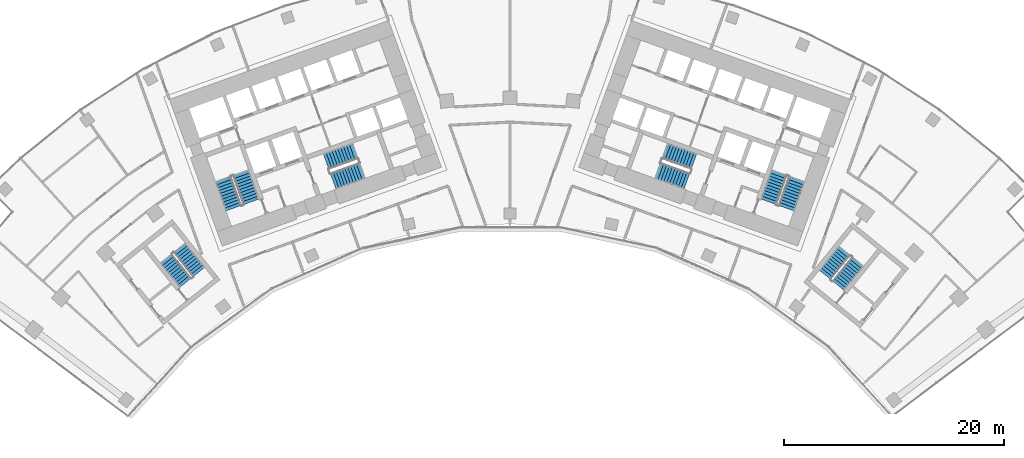
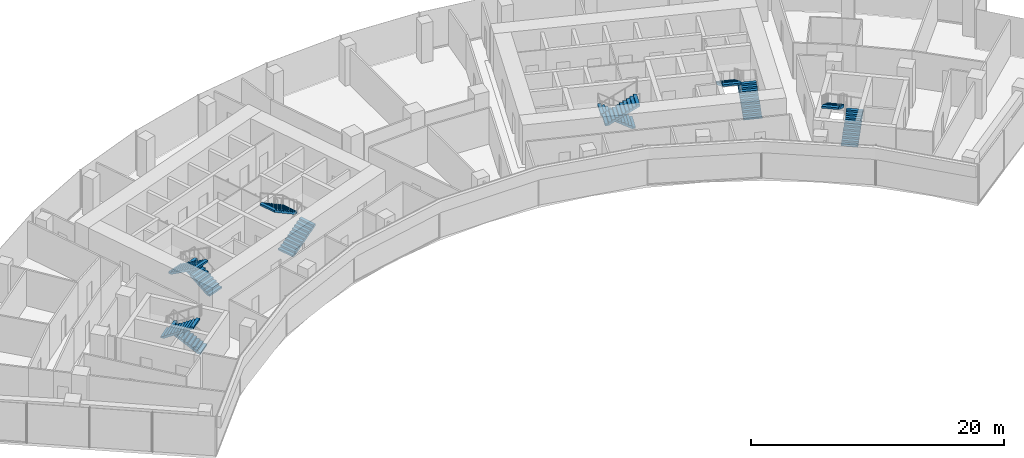
# One storey, part 19 of 21: 12 stair flights, 6 elements without a shape of their own.
"""IFC4 building model written with IfcOpenShell, lengths in metres."""

import ifcopenshell
import ifcopenshell.guid

model = None  # the IFC model being written
_history = None  # IfcOwnerHistory: only IFC2X3 demands one
_inside = {}  # id of a spatial element -> (the spatial element, [elements in it])
_under = {}  # id of a project, library or spatial element -> (it, [spatial elements below it])
_declared = {}  # id of a project -> (the project, [libraries it declares])
_typed = {}  # id of a type object -> (the type object, [elements of that type])
_made_of = {}  # id of a material, layer set ... -> (it, [elements and type objects made of it])


def new_model(schema):
    """Start an empty IFC model of exactly this schema.

    Asked for "IFC4X3", IfcOpenShell would pick the latest addendum, in which some entities
    have other attributes; the version numbers below select the first issue.
    IFC2X3 requires an IfcOwnerHistory on every rooted entity: one is made here for all.
    """
    global model, _history
    if schema == "IFC4X3":
        model = ifcopenshell.file(schema_version=(4, 3, 0, 0))
    else:
        model = ifcopenshell.file(schema=schema)
    _inside.clear()
    _under.clear()
    _declared.clear()
    _typed.clear()
    _made_of.clear()
    _history = None
    if model.schema == "IFC2X3":
        org = make("IfcOrganization", Name="unknown")
        user = make(
            "IfcPersonAndOrganization",
            ThePerson=make("IfcPerson", FamilyName="unknown"),
            TheOrganization=org,
        )
        app = make(
            "IfcApplication",
            ApplicationDeveloper=org,
            Version="unknown",
            ApplicationFullName="unknown",
            ApplicationIdentifier="unknown",
        )
        _history = make(
            "IfcOwnerHistory",
            OwningUser=user,
            OwningApplication=app,
            ChangeAction="ADDED",
            CreationDate=0,
        )
    return model


def make(cls, **values):
    """One entity of the class cls with the attributes given. An attribute that is None is left unset."""
    return model.create_entity(
        cls, **{name: value for name, value in values.items() if value is not None}
    )


def rooted(cls, **values):
    """An entity with a GlobalId (a new one), such as an element, a storey or a relation."""
    return make(cls, GlobalId=ifcopenshell.guid.new(), OwnerHistory=_history, **values)


def si_unit(unit_type, name, prefix=None):
    """IfcSIUnit, for example si_unit("LENGTHUNIT", "METRE", prefix="MILLI")."""
    return make("IfcSIUnit", UnitType=unit_type, Prefix=prefix, Name=name)


def assignment(units):
    """IfcUnitAssignment: the units of a project."""
    return None if units is None else make("IfcUnitAssignment", Units=units)


def point(xyz):
    """IfcCartesianPoint."""
    return None if xyz is None else make("IfcCartesianPoint", Coordinates=xyz)


def direction(xyz):
    """IfcDirection."""
    return None if xyz is None else make("IfcDirection", DirectionRatios=xyz)


def frame(location, z_axis=None, x_axis=None):
    """IfcAxis2Placement3D, a coordinate frame: its origin and axes. An axis left out is left unset."""
    return make(
        "IfcAxis2Placement3D",
        Location=point(location),
        Axis=direction(z_axis),
        RefDirection=direction(x_axis),
    )


def origin():
    """The frame at (0, 0, 0) with its axes left unset."""
    return frame((0.0, 0.0, 0.0))


def place(relative_to, where):
    """IfcLocalPlacement: puts the frame where relative to a parent placement (None: the world)."""
    return make(
        "IfcLocalPlacement", PlacementRelTo=relative_to, RelativePlacement=where
    )


def context(
    kind, dimensions, precision=None, world=None, true_north=None, identifier=None
):
    """IfcGeometricRepresentationContext, for example the 3D "Model" context."""
    return make(
        "IfcGeometricRepresentationContext",
        ContextIdentifier=identifier,
        ContextType=kind,
        CoordinateSpaceDimension=dimensions,
        Precision=precision,
        WorldCoordinateSystem=world,
        TrueNorth=true_north,
    )


def subcontext(parent, identifier, kind, view, scale=None):
    """IfcGeometricRepresentationSubContext, for example "Body" below "Model"."""
    return make(
        "IfcGeometricRepresentationSubContext",
        ContextIdentifier=identifier,
        ContextType=kind,
        ParentContext=parent,
        TargetScale=scale,
        TargetView=view,
    )


def project(units=None, contexts=None):
    """IfcProject with its units and contexts."""
    return rooted(
        "IfcProject",
        Name="project",
        RepresentationContexts=contexts,
        UnitsInContext=assignment(units),
    )


def spatial(cls, under=None, at=None, **own):
    """A site, building, storey or space (cls), placed at a placement, below another one or the project."""
    s = rooted(cls, ObjectPlacement=at, **own)
    if under is not None:
        _under.setdefault(under.id(), (under, []))[1].append(s)
    return s


def polyline(points):
    """IfcPolyline through the points."""
    return make("IfcPolyline", Points=[point(p) for p in points])


def outline(outer, holes=None, kind="AREA"):
    """IfcArbitraryClosedProfileDef: a profile drawn as a closed curve; with holes, ...WithVoids."""
    if holes is None:
        return make("IfcArbitraryClosedProfileDef", ProfileType=kind, OuterCurve=outer)
    return make(
        "IfcArbitraryProfileDefWithVoids",
        ProfileType=kind,
        OuterCurve=outer,
        InnerCurves=holes,
    )


def extrude(swept, where, along, depth):
    """IfcExtrudedAreaSolid: the profile swept, set in the frame where, extruded along a direction by depth."""
    return make(
        "IfcExtrudedAreaSolid",
        SweptArea=swept,
        Position=where,
        ExtrudedDirection=direction(along),
        Depth=depth,
    )


def shape(context_of_items, identifier, shape_type, items):
    """IfcShapeRepresentation: the items that make up one representation, for example the "Body"."""
    return make(
        "IfcShapeRepresentation",
        ContextOfItems=context_of_items,
        RepresentationIdentifier=identifier,
        RepresentationType=shape_type,
        Items=items,
    )


def material(Name=None, Category=None):
    """IfcMaterial."""
    return make("IfcMaterial", Name=Name, Category=Category)


def made_of(thing, what):
    """Note that an element or type object is made of a material, layer set ...; save() writes the relation."""
    if what is not None:
        _made_of.setdefault(what.id(), (what, []))[1].append(thing)
    return thing


def type_object(cls, material=None, **own):
    """A type object (cls), such as IfcWallType, which elements share."""
    return made_of(rooted(cls, **own), material)


def element(
    cls,
    number,
    at=None,
    inside=None,
    cuts=None,
    type_object=None,
    material=None,
    context=None,
    identifier="Body",
    shape_type=None,
    held_by="IfcProductDefinitionShape",
    body=None,
    shapes=None,
    **own,
):
    """One element of the class cls, such as IfcWall. Its Tag is "e" and its number.

    at: its placement. inside: the storey or other place that contains it. cuts: it is an
    opening in that element (IfcRelVoidsElement). A single representation is given by context,
    identifier, shape_type and body (its items); several are given by shapes. held_by: the class
    of the entity that holds the representations. save() writes the other relations.
    """
    e = rooted(cls, Tag="e%d" % number, ObjectPlacement=at, **own)
    if body is not None:
        shapes = [shape(context, identifier, shape_type, body)]
    if shapes is not None:
        e.Representation = make(held_by, Representations=shapes)
    if inside is not None:
        _inside.setdefault(inside.id(), (inside, []))[1].append(e)
    if cuts is not None:
        rooted(
            "IfcRelVoidsElement", RelatingBuildingElement=cuts, RelatedOpeningElement=e
        )
    if type_object is not None:
        _typed.setdefault(type_object.id(), (type_object, []))[1].append(e)
    return made_of(e, material)


def aggregate(whole, parts):
    """IfcRelAggregates: a whole, such as a stair, and the parts it consists of."""
    return rooted("IfcRelAggregates", RelatingObject=whole, RelatedObjects=parts)


def save(model, path):
    """Write the relations noted so far, then the file.

    IfcRelAggregates (storeys below a building ...), IfcRelContainedInSpatialStructure (elements
    in a storey), IfcRelDefinesByType, IfcRelAssociatesMaterial and IfcRelDeclares: one each for
    every whole, place, type object, material and project.
    """
    for whole, parts in _under.values():
        aggregate(whole, parts)
    for where, things in _inside.values():
        rooted(
            "IfcRelContainedInSpatialStructure",
            RelatedElements=things,
            RelatingStructure=where,
        )
    for kind, things in _typed.values():
        rooted("IfcRelDefinesByType", RelatedObjects=things, RelatingType=kind)
    for what, things in _made_of.values():
        rooted("IfcRelAssociatesMaterial", RelatedObjects=things, RelatingMaterial=what)
    for by, libraries in _declared.values():
        rooted("IfcRelDeclares", RelatingContext=by, RelatedDefinitions=libraries)
    model.write(path)


model = new_model("IFC4")

# Units and contexts
model_context = context("Model", 3, precision=1e-05, world=origin(), true_north=direction((0.0, 1.0)))
body_context = subcontext(model_context, "Body", "Model", "MODEL_VIEW")
ifc_project = project(units=[si_unit("LENGTHUNIT", "METRE"), si_unit("AREAUNIT", "SQUARE_METRE"), si_unit("VOLUMEUNIT", "CUBIC_METRE"), si_unit("PLANEANGLEUNIT", "RADIAN"), si_unit("MASSUNIT", "GRAM", prefix="KILO")], contexts=[model_context])

# Site, building, storey
site_placement = place(None, origin())
site = spatial("IfcSite", under=ifc_project, at=site_placement, CompositionType="ELEMENT")
building_placement = place(site_placement, origin())
building = spatial("IfcBuilding", under=site, at=building_placement, Name="Stone Belt Terrace Tower", CompositionType="ELEMENT")
storey_placement = place(building_placement, frame((0.0, 0.0, 151.60009765625)))
storey = spatial("IfcBuildingStorey", under=building, at=storey_placement, Name="L36", CompositionType="ELEMENT", Elevation=151.60009765625)

# Stair, stair flights
ifc_material = material(Name="Concrete B40", Category="concrete")
stair_type = type_object("IfcStairType", Name="Exit stair 1500", PredefinedType="HALF_TURN_STAIR", material=ifc_material)
stair_1_placement = place(storey_placement, origin())
stair_1 = element("IfcStair", 1, at=stair_1_placement, inside=storey, type_object=stair_type, Name="L36 Exit stair 1 core A", PredefinedType="HALF_TURN_STAIR")
stair_flight_type = type_object("IfcStairFlightType", Name="Stair flight 1500", PredefinedType="STRAIGHT", material=ifc_material)
stair_flight_1_placement = place(storey_placement, frame((-23.55322265625, 45.51318359375, 0.0), z_axis=(0.0, 0.0, 1.0), x_axis=(-0.338624396177, 0.940921632398, 0.0)))
stair_flight_1 = element("IfcStairFlight", 2, at=stair_flight_1_placement, type_object=stair_flight_type, Name="ST1A flight 1", NumberOfRisers=11, NumberOfTreads=10, PredefinedType="STRAIGHT", RiserHeight=0.172727273, TreadLength=0.28, context=body_context, shape_type="SweptSolid", body=[
    extrude(outline(polyline([(0.0, 0.0), (0.0, 0.172607421875), (0.280029296875, 0.172607421875), (0.280029296875, 0.345458984375), (0.56005859375, 0.345458984375), (0.56005859375, 0.51806640625), (0.840087890625, 0.51806640625), (0.840087890625, 0.69091796875), (1.1201171875, 0.69091796875), (1.1201171875, 0.863525390625), (1.39990234375, 0.863525390625), (1.39990234375, 1.036376953125), (1.679931640625, 1.036376953125), (1.679931640625, 1.208984375), (1.9599609375, 1.208984375), (1.9599609375, 1.3818359375), (2.239990234375, 1.3818359375), (2.239990234375, 1.554443359375), (2.52001953125, 1.554443359375), (2.52001953125, 1.727294921875), (2.800048828125, 1.727294921875), (2.800048828125, 1.89990234375), (2.800048828125, 1.551025390625), (0.285400390625, 0.0), (0.0, 0.0)])), frame((0.0, 0.75, 0.0), z_axis=(0.0, -1.0, 0.0), x_axis=(1.0, 0.0, 0.0)), (0.0, 0.0, 1.0), 1.5),
])
stair_flight_2_placement = place(storey_placement, frame((-26.10107421875, 47.572021484375, 1.89990234375), z_axis=(0.0, 0.0, 1.0), x_axis=(0.338624396177, -0.940921632398, 0.0)))
stair_flight_2 = element("IfcStairFlight", 3, at=stair_flight_2_placement, type_object=stair_flight_type, Name="ST1A flight 2", NumberOfRisers=11, NumberOfTreads=10, PredefinedType="STRAIGHT", RiserHeight=0.172727273, TreadLength=0.28, context=body_context, shape_type="SweptSolid", body=[
    extrude(outline(polyline([(0.0, 0.0), (0.0, 0.172607421875), (0.280029296875, 0.172607421875), (0.280029296875, 0.345458984375), (0.56005859375, 0.345458984375), (0.56005859375, 0.51806640625), (0.840087890625, 0.51806640625), (0.840087890625, 0.69091796875), (1.1201171875, 0.69091796875), (1.1201171875, 0.863525390625), (1.39990234375, 0.863525390625), (1.39990234375, 1.036376953125), (1.679931640625, 1.036376953125), (1.679931640625, 1.208984375), (1.9599609375, 1.208984375), (1.9599609375, 1.3818359375), (2.239990234375, 1.3818359375), (2.239990234375, 1.554443359375), (2.52001953125, 1.554443359375), (2.52001953125, 1.727294921875), (2.800048828125, 1.727294921875), (2.800048828125, 1.89990234375), (2.800048828125, 1.551025390625), (0.285400390625, 0.0), (0.0, 0.0)])), frame((0.0, 0.75, 0.0), z_axis=(0.0, -1.0, 0.0), x_axis=(1.0, 0.0, 0.0)), (0.0, 0.0, 1.0), 1.5),
])
aggregate(stair_1, [stair_flight_1, stair_flight_2])

stair_2_placement = place(storey_placement, origin())
stair_2 = element("IfcStair", 4, at=stair_2_placement, inside=storey, type_object=stair_type, Name="L36 Exit stair 2 core A", PredefinedType="HALF_TURN_STAIR")
stair_flight_3_placement = place(storey_placement, frame((-16.101318359375, 47.39794921875, 0.0), z_axis=(0.0, 0.0, 1.0), x_axis=(0.940921632398, 0.338624396177, 0.0)))
stair_flight_3 = element("IfcStairFlight", 5, at=stair_flight_3_placement, type_object=stair_flight_type, Name="ST2A flight 1", NumberOfRisers=11, NumberOfTreads=10, PredefinedType="STRAIGHT", RiserHeight=0.172727273, TreadLength=0.28, context=body_context, shape_type="SweptSolid", body=[
    extrude(outline(polyline([(0.0, 0.0), (0.0, 0.172607421875), (0.280029296875, 0.172607421875), (0.280029296875, 0.345458984375), (0.56005859375, 0.345458984375), (0.56005859375, 0.51806640625), (0.840087890625, 0.51806640625), (0.840087890625, 0.69091796875), (1.1201171875, 0.69091796875), (1.1201171875, 0.863525390625), (1.39990234375, 0.863525390625), (1.39990234375, 1.036376953125), (1.679931640625, 1.036376953125), (1.679931640625, 1.208984375), (1.9599609375, 1.208984375), (1.9599609375, 1.3818359375), (2.239990234375, 1.3818359375), (2.239990234375, 1.554443359375), (2.52001953125, 1.554443359375), (2.52001953125, 1.727294921875), (2.800048828125, 1.727294921875), (2.800048828125, 1.89990234375), (2.800048828125, 1.551025390625), (0.285400390625, 0.0), (0.0, 0.0)])), frame((0.0, 0.75, 0.0), z_axis=(0.0, -1.0, 0.0), x_axis=(1.0, 0.0, 0.0)), (0.0, 0.0, 1.0), 1.5),
])
stair_flight_4_placement = place(storey_placement, frame((-14.110107421875, 50.1337890625, 1.89990234375), z_axis=(0.0, 0.0, 1.0), x_axis=(-0.940921632398, -0.338624396177, 0.0)))
stair_flight_4 = element("IfcStairFlight", 6, at=stair_flight_4_placement, type_object=stair_flight_type, Name="ST2A flight 2", NumberOfRisers=11, NumberOfTreads=10, PredefinedType="STRAIGHT", RiserHeight=0.172727273, TreadLength=0.28, context=body_context, shape_type="SweptSolid", body=[
    extrude(outline(polyline([(0.0, 0.0), (0.0, 0.172607421875), (0.280029296875, 0.172607421875), (0.280029296875, 0.345458984375), (0.56005859375, 0.345458984375), (0.56005859375, 0.51806640625), (0.840087890625, 0.51806640625), (0.840087890625, 0.69091796875), (1.1201171875, 0.69091796875), (1.1201171875, 0.863525390625), (1.39990234375, 0.863525390625), (1.39990234375, 1.036376953125), (1.679931640625, 1.036376953125), (1.679931640625, 1.208984375), (1.9599609375, 1.208984375), (1.9599609375, 1.3818359375), (2.239990234375, 1.3818359375), (2.239990234375, 1.554443359375), (2.52001953125, 1.554443359375), (2.52001953125, 1.727294921875), (2.800048828125, 1.727294921875), (2.800048828125, 1.89990234375), (2.800048828125, 1.551025390625), (0.285400390625, 0.0), (0.0, 0.0)])), frame((0.0, 0.75, 0.0), z_axis=(0.0, -1.0, 0.0), x_axis=(1.0, 0.0, 0.0)), (0.0, 0.0, 1.0), 1.5),
])
aggregate(stair_2, [stair_flight_3, stair_flight_4])

stair_3_placement = place(storey_placement, origin())
stair_3 = element("IfcStair", 7, at=stair_3_placement, inside=storey, type_object=stair_type, Name="L36 Exit stair 1 core B", PredefinedType="HALF_TURN_STAIR")
stair_flight_5_placement = place(storey_placement, frame((25.15283203125, 44.9375, 0.0), z_axis=(0.0, 0.0, 1.0), x_axis=(0.338624396177, 0.940921632398, 0.0)))
stair_flight_5 = element("IfcStairFlight", 8, at=stair_flight_5_placement, type_object=stair_flight_type, Name="ST1B flight 1", NumberOfRisers=11, NumberOfTreads=10, PredefinedType="STRAIGHT", RiserHeight=0.172727273, TreadLength=0.28, context=body_context, shape_type="SweptSolid", body=[
    extrude(outline(polyline([(0.0, 0.0), (0.0, 0.172607421875), (0.280029296875, 0.172607421875), (0.280029296875, 0.345458984375), (0.56005859375, 0.345458984375), (0.56005859375, 0.51806640625), (0.840087890625, 0.51806640625), (0.840087890625, 0.69091796875), (1.1201171875, 0.69091796875), (1.1201171875, 0.863525390625), (1.39990234375, 0.863525390625), (1.39990234375, 1.036376953125), (1.679931640625, 1.036376953125), (1.679931640625, 1.208984375), (1.9599609375, 1.208984375), (1.9599609375, 1.3818359375), (2.239990234375, 1.3818359375), (2.239990234375, 1.554443359375), (2.52001953125, 1.554443359375), (2.52001953125, 1.727294921875), (2.800048828125, 1.727294921875), (2.800048828125, 1.89990234375), (2.800048828125, 1.551025390625), (0.285400390625, 0.0), (0.0, 0.0)])), frame((0.0, 0.75, 0.0), z_axis=(0.0, -1.0, 0.0), x_axis=(1.0, 0.0, 0.0)), (0.0, 0.0, 1.0), 1.5),
])
stair_flight_6_placement = place(storey_placement, frame((24.50146484375, 48.147705078125, 1.89990234375), z_axis=(0.0, 0.0, 1.0), x_axis=(-0.338624396177, -0.940921632398, 0.0)))
stair_flight_6 = element("IfcStairFlight", 9, at=stair_flight_6_placement, type_object=stair_flight_type, Name="ST1B flight 2", NumberOfRisers=11, NumberOfTreads=10, PredefinedType="STRAIGHT", RiserHeight=0.172727273, TreadLength=0.28, context=body_context, shape_type="SweptSolid", body=[
    extrude(outline(polyline([(0.0, 0.0), (0.0, 0.172607421875), (0.280029296875, 0.172607421875), (0.280029296875, 0.345458984375), (0.56005859375, 0.345458984375), (0.56005859375, 0.51806640625), (0.840087890625, 0.51806640625), (0.840087890625, 0.69091796875), (1.1201171875, 0.69091796875), (1.1201171875, 0.863525390625), (1.39990234375, 0.863525390625), (1.39990234375, 1.036376953125), (1.679931640625, 1.036376953125), (1.679931640625, 1.208984375), (1.9599609375, 1.208984375), (1.9599609375, 1.3818359375), (2.239990234375, 1.3818359375), (2.239990234375, 1.554443359375), (2.52001953125, 1.554443359375), (2.52001953125, 1.727294921875), (2.800048828125, 1.727294921875), (2.800048828125, 1.89990234375), (2.800048828125, 1.551025390625), (0.285400390625, 0.0), (0.0, 0.0)])), frame((0.0, 0.75, 0.0), z_axis=(0.0, -1.0, 0.0), x_axis=(1.0, 0.0, 0.0)), (0.0, 0.0, 1.0), 1.5),
])
aggregate(stair_3, [stair_flight_5, stair_flight_6])

stair_4_placement = place(storey_placement, origin())
stair_4 = element("IfcStair", 10, at=stair_4_placement, inside=storey, type_object=stair_type, Name="L36 Exit stair 2 core B", PredefinedType="HALF_TURN_STAIR")
stair_flight_7_placement = place(storey_placement, frame((16.74462890625, 49.185546875, 0.0), z_axis=(0.0, 0.0, 1.0), x_axis=(-0.940921632398, 0.338624396177, 0.0)))
stair_flight_7 = element("IfcStairFlight", 11, at=stair_flight_7_placement, type_object=stair_flight_type, Name="ST2B flight 1", NumberOfRisers=11, NumberOfTreads=10, PredefinedType="STRAIGHT", RiserHeight=0.172727273, TreadLength=0.28, context=body_context, shape_type="SweptSolid", body=[
    extrude(outline(polyline([(0.0, 0.0), (0.0, 0.172607421875), (0.280029296875, 0.172607421875), (0.280029296875, 0.345458984375), (0.56005859375, 0.345458984375), (0.56005859375, 0.51806640625), (0.840087890625, 0.51806640625), (0.840087890625, 0.69091796875), (1.1201171875, 0.69091796875), (1.1201171875, 0.863525390625), (1.39990234375, 0.863525390625), (1.39990234375, 1.036376953125), (1.679931640625, 1.036376953125), (1.679931640625, 1.208984375), (1.9599609375, 1.208984375), (1.9599609375, 1.3818359375), (2.239990234375, 1.3818359375), (2.239990234375, 1.554443359375), (2.52001953125, 1.554443359375), (2.52001953125, 1.727294921875), (2.800048828125, 1.727294921875), (2.800048828125, 1.89990234375), (2.800048828125, 1.551025390625), (0.285400390625, 0.0), (0.0, 0.0)])), frame((0.0, 0.75, 0.0), z_axis=(0.0, -1.0, 0.0), x_axis=(1.0, 0.0, 0.0)), (0.0, 0.0, 1.0), 1.5),
])
stair_flight_8_placement = place(storey_placement, frame((13.466796875, 48.345947265625, 1.89990234375), z_axis=(0.0, 0.0, 1.0), x_axis=(0.940921632398, -0.338624396177, 0.0)))
stair_flight_8 = element("IfcStairFlight", 12, at=stair_flight_8_placement, type_object=stair_flight_type, Name="ST2B flight 2", NumberOfRisers=11, NumberOfTreads=10, PredefinedType="STRAIGHT", RiserHeight=0.172727273, TreadLength=0.28, context=body_context, shape_type="SweptSolid", body=[
    extrude(outline(polyline([(0.0, 0.0), (0.0, 0.172607421875), (0.280029296875, 0.172607421875), (0.280029296875, 0.345458984375), (0.56005859375, 0.345458984375), (0.56005859375, 0.51806640625), (0.840087890625, 0.51806640625), (0.840087890625, 0.69091796875), (1.1201171875, 0.69091796875), (1.1201171875, 0.863525390625), (1.39990234375, 0.863525390625), (1.39990234375, 1.036376953125), (1.679931640625, 1.036376953125), (1.679931640625, 1.208984375), (1.9599609375, 1.208984375), (1.9599609375, 1.3818359375), (2.239990234375, 1.3818359375), (2.239990234375, 1.554443359375), (2.52001953125, 1.554443359375), (2.52001953125, 1.727294921875), (2.800048828125, 1.727294921875), (2.800048828125, 1.89990234375), (2.800048828125, 1.551025390625), (0.285400390625, 0.0), (0.0, 0.0)])), frame((0.0, 0.75, 0.0), z_axis=(0.0, -1.0, 0.0), x_axis=(1.0, 0.0, 0.0)), (0.0, 0.0, 1.0), 1.5),
])
aggregate(stair_4, [stair_flight_7, stair_flight_8])

stair_5_placement = place(storey_placement, origin())
stair_5 = element("IfcStair", 13, at=stair_5_placement, inside=storey, type_object=stair_type, Name="L36 Exit stair 3A", PredefinedType="HALF_TURN_STAIR")
stair_flight_9_placement = place(storey_placement, frame((-28.325439453125, 39.1240234375, 0.0), z_axis=(0.0, 0.0, 1.0), x_axis=(-0.623121363691, 0.782125160132, 0.0)))
stair_flight_9 = element("IfcStairFlight", 14, at=stair_flight_9_placement, type_object=stair_flight_type, Name="ST3A flight 1", NumberOfRisers=11, NumberOfTreads=10, PredefinedType="STRAIGHT", RiserHeight=0.172727273, TreadLength=0.28, context=body_context, shape_type="SweptSolid", body=[
    extrude(outline(polyline([(0.0, 0.0), (0.0, 0.172607421875), (0.280029296875, 0.172607421875), (0.280029296875, 0.345458984375), (0.56005859375, 0.345458984375), (0.56005859375, 0.51806640625), (0.840087890625, 0.51806640625), (0.840087890625, 0.69091796875), (1.1201171875, 0.69091796875), (1.1201171875, 0.863525390625), (1.39990234375, 0.863525390625), (1.39990234375, 1.036376953125), (1.679931640625, 1.036376953125), (1.679931640625, 1.208984375), (1.9599609375, 1.208984375), (1.9599609375, 1.3818359375), (2.239990234375, 1.3818359375), (2.239990234375, 1.554443359375), (2.52001953125, 1.554443359375), (2.52001953125, 1.727294921875), (2.800048828125, 1.727294921875), (2.800048828125, 1.89990234375), (2.800048828125, 1.551025390625), (0.285400390625, 0.0), (0.0, 0.0)])), frame((0.0, 0.675048828125, 0.0), z_axis=(0.0, -1.0, 0.0), x_axis=(1.0, 0.0, 0.0)), (0.0, 0.0, 1.0), 1.35009765625),
])
stair_flight_10_placement = place(storey_placement, frame((-31.282470703125, 40.34814453125, 1.89990234375), z_axis=(0.0, 0.0, 1.0), x_axis=(0.623121363691, -0.782125160132, 0.0)))
stair_flight_10 = element("IfcStairFlight", 15, at=stair_flight_10_placement, type_object=stair_flight_type, Name="ST3A flight 2", NumberOfRisers=11, NumberOfTreads=10, PredefinedType="STRAIGHT", RiserHeight=0.172727273, TreadLength=0.28, context=body_context, shape_type="SweptSolid", body=[
    extrude(outline(polyline([(0.0, 0.0), (0.0, 0.172607421875), (0.280029296875, 0.172607421875), (0.280029296875, 0.345458984375), (0.56005859375, 0.345458984375), (0.56005859375, 0.51806640625), (0.840087890625, 0.51806640625), (0.840087890625, 0.69091796875), (1.1201171875, 0.69091796875), (1.1201171875, 0.863525390625), (1.39990234375, 0.863525390625), (1.39990234375, 1.036376953125), (1.679931640625, 1.036376953125), (1.679931640625, 1.208984375), (1.9599609375, 1.208984375), (1.9599609375, 1.3818359375), (2.239990234375, 1.3818359375), (2.239990234375, 1.554443359375), (2.52001953125, 1.554443359375), (2.52001953125, 1.727294921875), (2.800048828125, 1.727294921875), (2.800048828125, 1.89990234375), (2.800048828125, 1.551025390625), (0.285400390625, 0.0), (0.0, 0.0)])), frame((0.0, 0.675048828125, 0.0), z_axis=(0.0, -1.0, 0.0), x_axis=(1.0, 0.0, 0.0)), (0.0, 0.0, 1.0), 1.35009765625),
])
aggregate(stair_5, [stair_flight_9, stair_flight_10])

stair_6_placement = place(storey_placement, origin())
stair_6 = element("IfcStair", 16, at=stair_6_placement, inside=storey, type_object=stair_type, Name="L36 Exit stair 3B", PredefinedType="HALF_TURN_STAIR")
stair_flight_11_placement = place(storey_placement, frame((29.88330078125, 37.887939453125, 0.0), z_axis=(0.0, 0.0, 1.0), x_axis=(0.630205749599, 0.776428176441, 0.0)))
stair_flight_11 = element("IfcStairFlight", 17, at=stair_flight_11_placement, type_object=stair_flight_type, Name="ST3B flight 1", NumberOfRisers=11, NumberOfTreads=10, PredefinedType="STRAIGHT", RiserHeight=0.172727273, TreadLength=0.28, context=body_context, shape_type="SweptSolid", body=[
    extrude(outline(polyline([(0.0, 0.0), (0.0, 0.172607421875), (0.280029296875, 0.172607421875), (0.280029296875, 0.345458984375), (0.56005859375, 0.345458984375), (0.56005859375, 0.51806640625), (0.840087890625, 0.51806640625), (0.840087890625, 0.69091796875), (1.1201171875, 0.69091796875), (1.1201171875, 0.863525390625), (1.39990234375, 0.863525390625), (1.39990234375, 1.036376953125), (1.679931640625, 1.036376953125), (1.679931640625, 1.208984375), (1.9599609375, 1.208984375), (1.9599609375, 1.3818359375), (2.239990234375, 1.3818359375), (2.239990234375, 1.554443359375), (2.52001953125, 1.554443359375), (2.52001953125, 1.727294921875), (2.800048828125, 1.727294921875), (2.800048828125, 1.89990234375), (2.800048828125, 1.551025390625), (0.285400390625, 0.0), (0.0, 0.0)])), frame((0.0, 0.675048828125, 0.0), z_axis=(0.0, -1.0, 0.0), x_axis=(1.0, 0.0, 0.0)), (0.0, 0.0, 1.0), 1.35009765625),
])
stair_flight_12_placement = place(storey_placement, frame((30.4443359375, 41.038818359375, 1.89990234375), z_axis=(0.0, 0.0, 1.0), x_axis=(-0.630205749599, -0.776428176441, 0.0)))
stair_flight_12 = element("IfcStairFlight", 18, at=stair_flight_12_placement, type_object=stair_flight_type, Name="ST3B flight 2", NumberOfRisers=11, NumberOfTreads=10, PredefinedType="STRAIGHT", RiserHeight=0.172727273, TreadLength=0.28, context=body_context, shape_type="SweptSolid", body=[
    extrude(outline(polyline([(0.0, 0.0), (0.0, 0.172607421875), (0.280029296875, 0.172607421875), (0.280029296875, 0.345458984375), (0.56005859375, 0.345458984375), (0.56005859375, 0.51806640625), (0.840087890625, 0.51806640625), (0.840087890625, 0.69091796875), (1.1201171875, 0.69091796875), (1.1201171875, 0.863525390625), (1.39990234375, 0.863525390625), (1.39990234375, 1.036376953125), (1.679931640625, 1.036376953125), (1.679931640625, 1.208984375), (1.9599609375, 1.208984375), (1.9599609375, 1.3818359375), (2.239990234375, 1.3818359375), (2.239990234375, 1.554443359375), (2.52001953125, 1.554443359375), (2.52001953125, 1.727294921875), (2.800048828125, 1.727294921875), (2.800048828125, 1.89990234375), (2.800048828125, 1.551025390625), (0.285400390625, 0.0), (0.0, 0.0)])), frame((0.0, 0.675048828125, 0.0), z_axis=(0.0, -1.0, 0.0), x_axis=(1.0, 0.0, 0.0)), (0.0, 0.0, 1.0), 1.35009765625),
])
aggregate(stair_6, [stair_flight_11, stair_flight_12])

save(model, "model.ifc")
